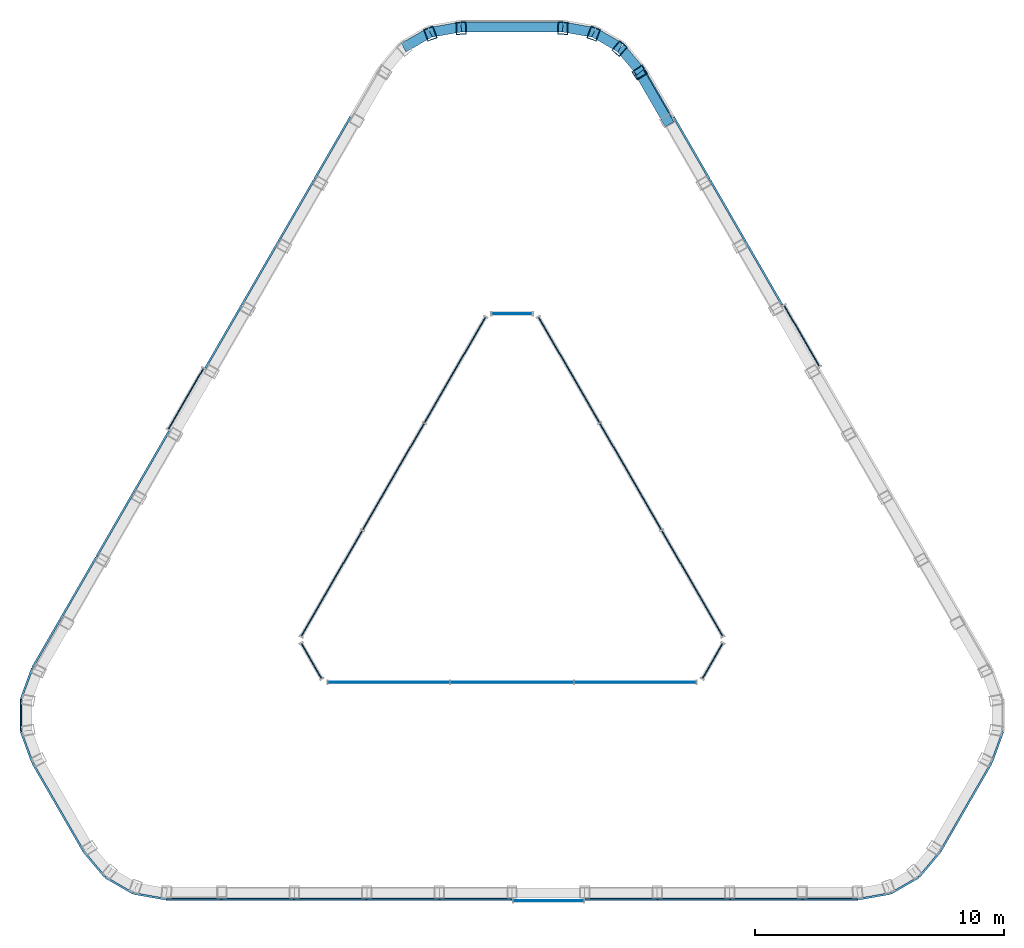
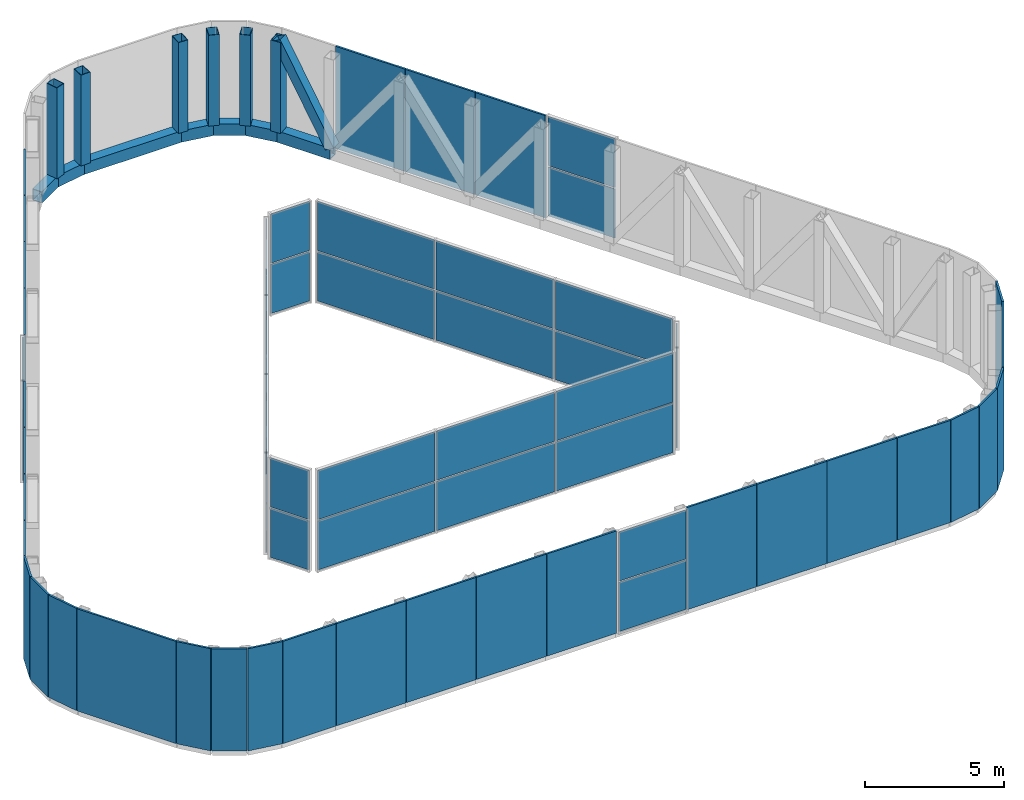
# One storey, part 4 of 5: 62 plates, 14 members, 9 elements without a shape of their own.
"""IFC4 building model written with IfcOpenShell, lengths in metres."""

import ifcopenshell
import ifcopenshell.guid

model = None  # the IFC model being written
_history = None  # IfcOwnerHistory: only IFC2X3 demands one
_inside = {}  # id of a spatial element -> (the spatial element, [elements in it])
_under = {}  # id of a project, library or spatial element -> (it, [spatial elements below it])
_declared = {}  # id of a project -> (the project, [libraries it declares])
_typed = {}  # id of a type object -> (the type object, [elements of that type])
_made_of = {}  # id of a material, layer set ... -> (it, [elements and type objects made of it])


def new_model(schema):
    """Start an empty IFC model of exactly this schema.

    Asked for "IFC4X3", IfcOpenShell would pick the latest addendum, in which some entities
    have other attributes; the version numbers below select the first issue.
    IFC2X3 requires an IfcOwnerHistory on every rooted entity: one is made here for all.
    """
    global model, _history
    if schema == "IFC4X3":
        model = ifcopenshell.file(schema_version=(4, 3, 0, 0))
    else:
        model = ifcopenshell.file(schema=schema)
    _inside.clear()
    _under.clear()
    _declared.clear()
    _typed.clear()
    _made_of.clear()
    _history = None
    if model.schema == "IFC2X3":
        org = make("IfcOrganization", Name="unknown")
        user = make(
            "IfcPersonAndOrganization",
            ThePerson=make("IfcPerson", FamilyName="unknown"),
            TheOrganization=org,
        )
        app = make(
            "IfcApplication",
            ApplicationDeveloper=org,
            Version="unknown",
            ApplicationFullName="unknown",
            ApplicationIdentifier="unknown",
        )
        _history = make(
            "IfcOwnerHistory",
            OwningUser=user,
            OwningApplication=app,
            ChangeAction="ADDED",
            CreationDate=0,
        )
    return model


def make(cls, **values):
    """One entity of the class cls with the attributes given. An attribute that is None is left unset."""
    return model.create_entity(
        cls, **{name: value for name, value in values.items() if value is not None}
    )


def rooted(cls, **values):
    """An entity with a GlobalId (a new one), such as an element, a storey or a relation."""
    return make(cls, GlobalId=ifcopenshell.guid.new(), OwnerHistory=_history, **values)


def si_unit(unit_type, name, prefix=None):
    """IfcSIUnit, for example si_unit("LENGTHUNIT", "METRE", prefix="MILLI")."""
    return make("IfcSIUnit", UnitType=unit_type, Prefix=prefix, Name=name)


def assignment(units):
    """IfcUnitAssignment: the units of a project."""
    return None if units is None else make("IfcUnitAssignment", Units=units)


def point(xyz):
    """IfcCartesianPoint."""
    return None if xyz is None else make("IfcCartesianPoint", Coordinates=xyz)


def direction(xyz):
    """IfcDirection."""
    return None if xyz is None else make("IfcDirection", DirectionRatios=xyz)


def frame(location, z_axis=None, x_axis=None):
    """IfcAxis2Placement3D, a coordinate frame: its origin and axes. An axis left out is left unset."""
    return make(
        "IfcAxis2Placement3D",
        Location=point(location),
        Axis=direction(z_axis),
        RefDirection=direction(x_axis),
    )


def frame_2d(location, x_axis=None):
    """IfcAxis2Placement2D, a coordinate frame in the plane: its origin and x axis."""
    return make(
        "IfcAxis2Placement2D", Location=point(location), RefDirection=direction(x_axis)
    )


def origin():
    """The frame at (0, 0, 0) with its axes left unset."""
    return frame((0.0, 0.0, 0.0))


def origin_2d():
    """The frame at (0, 0) in the plane with its x axis left unset."""
    return frame_2d((0.0, 0.0))


def place(relative_to, where):
    """IfcLocalPlacement: puts the frame where relative to a parent placement (None: the world)."""
    return make(
        "IfcLocalPlacement", PlacementRelTo=relative_to, RelativePlacement=where
    )


def context(
    kind, dimensions, precision=None, world=None, true_north=None, identifier=None
):
    """IfcGeometricRepresentationContext, for example the 3D "Model" context."""
    return make(
        "IfcGeometricRepresentationContext",
        ContextIdentifier=identifier,
        ContextType=kind,
        CoordinateSpaceDimension=dimensions,
        Precision=precision,
        WorldCoordinateSystem=world,
        TrueNorth=true_north,
    )


def subcontext(parent, identifier, kind, view, scale=None):
    """IfcGeometricRepresentationSubContext, for example "Body" below "Model"."""
    return make(
        "IfcGeometricRepresentationSubContext",
        ContextIdentifier=identifier,
        ContextType=kind,
        ParentContext=parent,
        TargetScale=scale,
        TargetView=view,
    )


def project(units=None, contexts=None):
    """IfcProject with its units and contexts."""
    return rooted(
        "IfcProject",
        Name="project",
        RepresentationContexts=contexts,
        UnitsInContext=assignment(units),
    )


def spatial(cls, under=None, at=None, **own):
    """A site, building, storey or space (cls), placed at a placement, below another one or the project."""
    s = rooted(cls, ObjectPlacement=at, **own)
    if under is not None:
        _under.setdefault(under.id(), (under, []))[1].append(s)
    return s


def profile(cls, at=None, kind="AREA", **sizes):
    """A parametric profile (cls). Its sizes go by their IFC names, for example OverallWidth=200.0."""
    return make(cls, ProfileType=kind, Position=at, **sizes)


def rectangle(**sizes):
    """IfcRectangleProfileDef."""
    return profile("IfcRectangleProfileDef", **sizes)


def hollow_rectangle(**sizes):
    """IfcRectangleHollowProfileDef."""
    return profile("IfcRectangleHollowProfileDef", **sizes)


def extrude(swept, where, along, depth):
    """IfcExtrudedAreaSolid: the profile swept, set in the frame where, extruded along a direction by depth."""
    return make(
        "IfcExtrudedAreaSolid",
        SweptArea=swept,
        Position=where,
        ExtrudedDirection=direction(along),
        Depth=depth,
    )


def shape(context_of_items, identifier, shape_type, items):
    """IfcShapeRepresentation: the items that make up one representation, for example the "Body"."""
    return make(
        "IfcShapeRepresentation",
        ContextOfItems=context_of_items,
        RepresentationIdentifier=identifier,
        RepresentationType=shape_type,
        Items=items,
    )


def material(Name=None, Category=None):
    """IfcMaterial."""
    return make("IfcMaterial", Name=Name, Category=Category)


def layer(
    of_material, thickness, ventilated=None, Name=None, Category=None, Priority=None
):
    """IfcMaterialLayer: one layer of a wall or slab, of a material (None: an air gap)."""
    return make(
        "IfcMaterialLayer",
        Material=of_material,
        LayerThickness=thickness,
        IsVentilated=ventilated,
        Name=Name,
        Category=Category,
        Priority=Priority,
    )


def layer_set(layers, Name=None):
    """IfcMaterialLayerSet."""
    return make("IfcMaterialLayerSet", MaterialLayers=layers, LayerSetName=Name)


def material_profile(
    of_material, cross_section, Name=None, Category=None, Priority=None
):
    """IfcMaterialProfile: a cross section and its material."""
    return make(
        "IfcMaterialProfile",
        Name=Name,
        Material=of_material,
        Profile=cross_section,
        Priority=Priority,
        Category=Category,
    )


def profile_set(profiles, Name=None, composite=None):
    """IfcMaterialProfileSet."""
    return make(
        "IfcMaterialProfileSet",
        Name=Name,
        MaterialProfiles=profiles,
        CompositeProfile=composite,
    )


def made_of(thing, what):
    """Note that an element or type object is made of a material, layer set ...; save() writes the relation."""
    if what is not None:
        _made_of.setdefault(what.id(), (what, []))[1].append(thing)
    return thing


def type_object(cls, material=None, **own):
    """A type object (cls), such as IfcWallType, which elements share."""
    return made_of(rooted(cls, **own), material)


def element(
    cls,
    number,
    at=None,
    inside=None,
    cuts=None,
    type_object=None,
    material=None,
    context=None,
    identifier="Body",
    shape_type=None,
    held_by="IfcProductDefinitionShape",
    body=None,
    shapes=None,
    **own,
):
    """One element of the class cls, such as IfcWall. Its Tag is "e" and its number.

    at: its placement. inside: the storey or other place that contains it. cuts: it is an
    opening in that element (IfcRelVoidsElement). A single representation is given by context,
    identifier, shape_type and body (its items); several are given by shapes. held_by: the class
    of the entity that holds the representations. save() writes the other relations.
    """
    e = rooted(cls, Tag="e%d" % number, ObjectPlacement=at, **own)
    if body is not None:
        shapes = [shape(context, identifier, shape_type, body)]
    if shapes is not None:
        e.Representation = make(held_by, Representations=shapes)
    if inside is not None:
        _inside.setdefault(inside.id(), (inside, []))[1].append(e)
    if cuts is not None:
        rooted(
            "IfcRelVoidsElement", RelatingBuildingElement=cuts, RelatedOpeningElement=e
        )
    if type_object is not None:
        _typed.setdefault(type_object.id(), (type_object, []))[1].append(e)
    return made_of(e, material)


def aggregate(whole, parts):
    """IfcRelAggregates: a whole, such as a stair, and the parts it consists of."""
    return rooted("IfcRelAggregates", RelatingObject=whole, RelatedObjects=parts)


def save(model, path):
    """Write the relations noted so far, then the file.

    IfcRelAggregates (storeys below a building ...), IfcRelContainedInSpatialStructure (elements
    in a storey), IfcRelDefinesByType, IfcRelAssociatesMaterial and IfcRelDeclares: one each for
    every whole, place, type object, material and project.
    """
    for whole, parts in _under.values():
        aggregate(whole, parts)
    for where, things in _inside.values():
        rooted(
            "IfcRelContainedInSpatialStructure",
            RelatedElements=things,
            RelatingStructure=where,
        )
    for kind, things in _typed.values():
        rooted("IfcRelDefinesByType", RelatedObjects=things, RelatingType=kind)
    for what, things in _made_of.values():
        rooted("IfcRelAssociatesMaterial", RelatedObjects=things, RelatingMaterial=what)
    for by, libraries in _declared.values():
        rooted("IfcRelDeclares", RelatingContext=by, RelatedDefinitions=libraries)
    model.write(path)


model = new_model("IFC4")

# Units and contexts
model_context = context("Model", 3, precision=1e-05, world=origin(), true_north=direction((0.0, 1.0)))
body_context = subcontext(model_context, "Body", "Model", "MODEL_VIEW")
ifc_project = project(units=[si_unit("LENGTHUNIT", "METRE"), si_unit("AREAUNIT", "SQUARE_METRE"), si_unit("VOLUMEUNIT", "CUBIC_METRE"), si_unit("PLANEANGLEUNIT", "RADIAN"), si_unit("MASSUNIT", "GRAM", prefix="KILO")], contexts=[model_context])

# Site, building, storey
site_placement = place(None, origin())
site = spatial("IfcSite", under=ifc_project, at=site_placement, CompositionType="ELEMENT")
building_placement = place(site_placement, origin())
building = spatial("IfcBuilding", under=site, at=building_placement, Name="Apuvela Tower Hotel", CompositionType="ELEMENT")
storey_placement = place(building_placement, frame((0.0, 0.0, 357.800048828125)))
storey = spatial("IfcBuildingStorey", under=building, at=storey_placement, Name="R-4 ROOF", CompositionType="ELEMENT", Elevation=357.800048828125)

# Members
ifc_material_1 = material(Name="Steel S355, black paint system", Category="steel")
ifc_material_profile_1 = material_profile(ifc_material_1, hollow_rectangle(XDim=0.39990234375, YDim=0.39990234375, WallThickness=0.01611328125, at=origin_2d()), Name="HSS 400x400x16")
ifc_profile_set_1 = profile_set([ifc_material_profile_1], Name="Steel S355, black paint system")
member_type_1 = type_object("IfcMemberType", Name="ENV-CROWN-BRACE-400x400", PredefinedType="BRACE", material=ifc_profile_set_1)
member_1_placement = place(storey_placement, frame((6.236572265625, 17.050537109375, 0.25), z_axis=(-0.242948815269, 0.420705831623, 0.874060911148), x_axis=(-0.865977099567, -0.500083656027, 0.0)))
element("IfcMember", 1, at=member_1_placement, inside=storey, type_object=member_type_1, Name="Crown frame brace 50", PredefinedType="BRACE", context=body_context, shape_type="SweptSolid", body=[
    extrude(hollow_rectangle(XDim=0.39990234375, YDim=0.39990234375, WallThickness=0.01611328125, at=origin_2d()), origin(), (0.0, 0.0, 1.0), 4.576416015625),
])
ifc_material_profile_2 = material_profile(ifc_material_1, hollow_rectangle(XDim=0.39990234375, YDim=0.5, WallThickness=0.02001953125, at=origin_2d()), Name="HSS 500x400x20")
ifc_profile_set_2 = profile_set([ifc_material_profile_2], Name="Steel S355, black paint system")
member_type_2 = type_object("IfcMemberType", Name="ENV-CROWN-POST-500x400", PredefinedType="POST", material=ifc_profile_set_2)
for number, where, z_axis, x_axis, name in (
    (2, (4.318115234375, 19.9375, 0.25), (0.0, 0.0, 1.0), (-0.763579690807, 0.645713601984, 0.0), "Crown frame post 1"),
    (3, (3.277099609375, 20.538330078125, 0.25), (0.0, 0.0, 1.0), (-0.940994228291, 0.33842260906, 0.0), "Crown frame post 2"),
    (4, (2.041015625, 20.75634765625, 0.25), (0.0, 0.0, 1.0), (-0.999161138639, 0.040951422845, 0.0), "Crown frame post 3"),
    (5, (-2.041015625, 20.75634765625, 0.25), (0.0, 0.0, 1.0), (-0.999161138639, -0.040951422845, 0.0), "Crown frame post 4"),
    (6, (-3.277099609375, 20.538330078125, 0.25), (0.0, 0.0, 1.0), (-0.940994228291, -0.33842260906, 0.0), "Crown frame post 5"),
    (7, (5.124755859375, 18.975830078125, 0.25), (0.0, 0.0, 1.0), (-0.553467140498, 0.832871013056, 0.0), "Crown frame post 51"),
):
    element("IfcMember", number, at=place(storey_placement, frame(where, z_axis=z_axis, x_axis=x_axis)), inside=storey, type_object=member_type_2, Name=name, PredefinedType="POST", context=body_context, shape_type="SweptSolid", body=[
        extrude(hollow_rectangle(XDim=0.39990234375, YDim=0.5, WallThickness=0.02001953125, at=origin_2d()), origin(), (0.0, 0.0, 1.0), 4.0),
    ])
ifc_material_profile_3 = material_profile(ifc_material_1, hollow_rectangle(XDim=0.39990234375, YDim=0.5, WallThickness=0.01611328125, at=origin_2d()), Name="HSS 500x400x16")
ifc_profile_set_3 = profile_set([ifc_material_profile_3], Name="Steel S355, black paint system")
member_type_3 = type_object("IfcMemberType", Name="ENV-CROWN-RING-500x400", PredefinedType="STRINGER", material=ifc_profile_set_3)
member_2_placement = place(storey_placement, frame((4.3505859375, 19.976318359375, 0.0), z_axis=(-0.865992225662, 0.50005746179, 0.0), x_axis=(-0.50005746179, -0.865992225662, 0.0)))
element("IfcMember", 8, at=member_2_placement, inside=storey, type_object=member_type_3, Name="Crown frame ring beam 4.1", PredefinedType="STRINGER", context=body_context, shape_type="SweptSolid", body=[
    extrude(hollow_rectangle(XDim=0.39990234375, YDim=0.5, WallThickness=0.01611328125, at=origin_2d()), origin(), (0.0, 0.0, 1.0), 1.219482421875),
])
member_3_placement = place(storey_placement, frame((3.29443359375, 20.586181640625, 0.0), z_axis=(-0.984810677158, 0.173631593197, 0.0), x_axis=(-0.173631593197, -0.984810677158, 0.0)))
element("IfcMember", 9, at=member_3_placement, inside=storey, type_object=member_type_3, Name="Crown frame ring beam 4.2", PredefinedType="STRINGER", context=body_context, shape_type="SweptSolid", body=[
    extrude(hollow_rectangle(XDim=0.39990234375, YDim=0.5, WallThickness=0.01611328125, at=origin_2d()), origin(), (0.0, 0.0, 1.0), 1.268310546875),
])
member_4_placement = place(storey_placement, frame((2.04541015625, 20.806396484375, 0.0), z_axis=(-1.0, 0.0, 0.0), x_axis=(0.0, -1.0, 0.0)))
element("IfcMember", 10, at=member_4_placement, inside=storey, type_object=member_type_3, Name="Crown frame ring beam 4.3", PredefinedType="STRINGER", context=body_context, shape_type="SweptSolid", body=[
    extrude(hollow_rectangle(XDim=0.39990234375, YDim=0.5, WallThickness=0.01611328125, at=origin_2d()), origin(), (0.0, 0.0, 1.0), 4.0908203125),
])
member_5_placement = place(storey_placement, frame((-2.04541015625, 20.806396484375, 0.0), z_axis=(-0.984810677158, -0.173631593197, 0.0), x_axis=(0.173631593197, -0.984810677158, 0.0)))
element("IfcMember", 11, at=member_5_placement, inside=storey, type_object=member_type_3, Name="Crown frame ring beam 4.4", PredefinedType="STRINGER", context=body_context, shape_type="SweptSolid", body=[
    extrude(hollow_rectangle(XDim=0.39990234375, YDim=0.5, WallThickness=0.01611328125, at=origin_2d()), origin(), (0.0, 0.0, 1.0), 1.268310546875),
])
member_6_placement = place(storey_placement, frame((-3.29443359375, 20.586181640625, 0.0), z_axis=(-0.865992225662, -0.50005746179, 0.0), x_axis=(0.50005746179, -0.865992225662, 0.0)))
element("IfcMember", 12, at=member_6_placement, inside=storey, type_object=member_type_3, Name="Crown frame ring beam 4.5", PredefinedType="STRINGER", context=body_context, shape_type="SweptSolid", body=[
    extrude(hollow_rectangle(XDim=0.39990234375, YDim=0.5, WallThickness=0.01611328125, at=origin_2d()), origin(), (0.0, 0.0, 1.0), 1.219482421875),
])
member_7_placement = place(storey_placement, frame((6.27783203125, 17.07861328125, 0.0), z_axis=(-0.499941024108, 0.866059450854, 0.0), x_axis=(-0.866059450854, -0.499941024108, 0.0)))
element("IfcMember", 13, at=member_7_placement, inside=storey, type_object=member_type_3, Name="Crown frame ring beam 4.50", PredefinedType="STRINGER", context=body_context, shape_type="SweptSolid", body=[
    extrude(hollow_rectangle(XDim=0.39990234375, YDim=0.5, WallThickness=0.01611328125, at=origin_2d()), origin(), (0.0, 0.0, 1.0), 2.223876953125),
])
member_8_placement = place(storey_placement, frame((5.166015625, 19.004638671875, 0.0), z_axis=(-0.642830918567, 0.766008100567, 0.0), x_axis=(-0.766008100567, -0.642830918567, 0.0)))
element("IfcMember", 14, at=member_8_placement, inside=storey, type_object=member_type_3, Name="Crown frame ring beam 4.51", PredefinedType="STRINGER", context=body_context, shape_type="SweptSolid", body=[
    extrude(hollow_rectangle(XDim=0.39990234375, YDim=0.5, WallThickness=0.01611328125, at=origin_2d()), origin(), (0.0, 0.0, 1.0), 1.2685546875),
])

# Plates
ifc_material_2 = material(Name="Aluminium 6063-T6, black anodised perforated panel", Category="aluminium")
ifc_layer_1 = layer(ifc_material_2, 0.080078125)
ifc_layer_set_1 = layer_set([ifc_layer_1], Name="ENV-CROWN-SCREEN-80")
plate_type_1 = type_object("IfcPlateType", Name="ENV-CROWN-SCREEN-80", PredefinedType="SHEET", material=ifc_layer_set_1)
for number, where, z_axis, x_axis, name in (
    (15, (-7.206298828125, 15.95068359375, 0.0), (0.0, 0.0, 1.0), (-0.5, -0.866025403784, 0.0), "Crown screen 8"),
    (16, (-8.6650390625, 13.42431640625, 0.0), (0.0, 0.0, 1.0), (-0.5, -0.866025403784, 0.0), "Crown screen 9"),
    (17, (-10.12353515625, 10.897705078125, 0.0), (0.0, 0.0, 1.0), (-0.5, -0.866025403784, 0.0), "Crown screen 10"),
    (18, (-11.582275390625, 8.371337890625, 0.0), (0.0, 0.0, 1.0), (-0.5, -0.866025403784, 0.0), "Crown screen 11"),
    (19, (-14.49951171875, 3.318359375, 0.0), (0.0, 0.0, 1.0), (-0.5, -0.866025403784, 0.0), "Crown screen 13"),
    (20, (-15.958251953125, 0.7919921875, 0.0), (0.0, 0.0, 1.0), (-0.5, -0.866025403784, 0.0), "Crown screen 14"),
    (21, (-17.4169921875, -1.734619140625, 0.0), (0.0, 0.0, 1.0), (-0.5, -0.866025403784, 0.0), "Crown screen 15"),
):
    element("IfcPlate", number, at=place(storey_placement, frame(where, z_axis=z_axis, x_axis=x_axis)), inside=storey, type_object=plate_type_1, Name=name, PredefinedType="SHEET", context=body_context, shape_type="SweptSolid", body=[
        extrude(rectangle(XDim=2.897216796875, YDim=0.080078125, at=origin_2d()), origin(), (0.0, 0.0, 1.0), 4.5),
    ])
plate_1_placement = place(storey_placement, frame((-18.702880859375, -3.962158203125, 0.0), z_axis=(0.0, 0.0, 1.0), x_axis=(-0.5, -0.866025403784, 0.0)))
element("IfcPlate", 22, at=plate_1_placement, inside=storey, type_object=plate_type_1, Name="Crown screen 16", PredefinedType="SHEET", context=body_context, shape_type="SweptSolid", body=[
    extrude(rectangle(XDim=2.20751953125, YDim=0.080078125, at=origin_2d()), origin(), (0.0, 0.0, 1.0), 4.5),
])
plate_2_placement = place(storey_placement, frame((-19.487548828125, -5.552490234375, 0.0), z_axis=(0.0, 0.0, 1.0), x_axis=(-0.342020143326, -0.939692620786, 0.0)))
element("IfcPlate", 23, at=plate_2_placement, inside=storey, type_object=plate_type_1, Name="Crown screen 17", PredefinedType="SHEET", context=body_context, shape_type="SweptSolid", body=[
    extrude(rectangle(XDim=1.311767578125, YDim=0.080078125, at=origin_2d()), origin(), (0.0, 0.0, 1.0), 4.5),
])
plate_3_placement = place(storey_placement, frame((-19.71533203125, -6.830078125, 0.0), z_axis=(0.0, 0.0, 1.0), x_axis=(0.0, -1.0, 0.0)))
element("IfcPlate", 24, at=plate_3_placement, inside=storey, type_object=plate_type_1, Name="Crown screen 18", PredefinedType="SHEET", context=body_context, shape_type="SweptSolid", body=[
    extrude(rectangle(XDim=1.2841796875, YDim=0.080078125, at=origin_2d()), origin(), (0.0, 0.0, 1.0), 4.5),
])
plate_4_placement = place(storey_placement, frame((-19.487548828125, -8.10791015625, 0.0), z_axis=(0.0, 0.0, 1.0), x_axis=(0.342020143326, -0.939692620786, 0.0)))
element("IfcPlate", 25, at=plate_4_placement, inside=storey, type_object=plate_type_1, Name="Crown screen 19", PredefinedType="SHEET", context=body_context, shape_type="SweptSolid", body=[
    extrude(rectangle(XDim=1.311767578125, YDim=0.080078125, at=origin_2d()), origin(), (0.0, 0.0, 1.0), 4.5),
])
plate_5_placement = place(storey_placement, frame((-18.226806640625, -10.523193359375, 0.0), z_axis=(0.0, 0.0, 1.0), x_axis=(0.5, -0.866025403784, 0.0)))
element("IfcPlate", 26, at=plate_5_placement, inside=storey, type_object=plate_type_1, Name="Crown screen 20", PredefinedType="SHEET", context=body_context, shape_type="SweptSolid", body=[
    extrude(rectangle(XDim=4.11279296875, YDim=0.080078125, at=origin_2d()), origin(), (0.0, 0.0, 1.0), 4.5),
])
plate_6_placement = place(storey_placement, frame((-16.765380859375, -12.82275390625, 0.0), z_axis=(0.0, 0.0, 1.0), x_axis=(0.642787609687, -0.766044443119, 0.0)))
element("IfcPlate", 27, at=plate_6_placement, inside=storey, type_object=plate_type_1, Name="Crown screen 21", PredefinedType="SHEET", context=body_context, shape_type="SweptSolid", body=[
    extrude(rectangle(XDim=1.311767578125, YDim=0.080078125, at=origin_2d()), origin(), (0.0, 0.0, 1.0), 4.5),
])
plate_7_placement = place(storey_placement, frame((-15.772705078125, -13.658935546875, 0.0), z_axis=(0.0, 0.0, 1.0), x_axis=(0.866025403784, -0.5, 0.0)))
element("IfcPlate", 28, at=plate_7_placement, inside=storey, type_object=plate_type_1, Name="Crown screen 22", PredefinedType="SHEET", context=body_context, shape_type="SweptSolid", body=[
    extrude(rectangle(XDim=1.2841796875, YDim=0.080078125, at=origin_2d()), origin(), (0.0, 0.0, 1.0), 4.5),
])
plate_8_placement = place(storey_placement, frame((-14.55224609375, -14.1005859375, 0.0), z_axis=(0.0, 0.0, 1.0), x_axis=(0.984807753012, -0.173648177667, 0.0)))
element("IfcPlate", 29, at=plate_8_placement, inside=storey, type_object=plate_type_1, Name="Crown screen 23", PredefinedType="SHEET", context=body_context, shape_type="SweptSolid", body=[
    extrude(rectangle(XDim=1.311767578125, YDim=0.080078125, at=origin_2d()), origin(), (0.0, 0.0, 1.0), 4.5),
])
plate_9_placement = place(storey_placement, frame((-12.782958984375, -14.21630859375, 0.0), z_axis=(0.0, 0.0, 1.0), x_axis=(1.0, 0.0, 0.0)))
element("IfcPlate", 30, at=plate_9_placement, inside=storey, type_object=plate_type_1, Name="Crown screen 24", PredefinedType="SHEET", context=body_context, shape_type="SweptSolid", body=[
    extrude(rectangle(XDim=2.20751953125, YDim=0.080078125, at=origin_2d()), origin(), (0.0, 0.0, 1.0), 4.5),
])
for number, where, z_axis, x_axis, name in (
    (31, (-10.210693359375, -14.21630859375, 0.0), (0.0, 0.0, 1.0), (1.0, 0.0, 0.0), "Crown screen 25"),
    (32, (-7.293212890625, -14.21630859375, 0.0), (0.0, 0.0, 1.0), (1.0, 0.0, 0.0), "Crown screen 26"),
    (33, (-4.3759765625, -14.21630859375, 0.0), (0.0, 0.0, 1.0), (1.0, 0.0, 0.0), "Crown screen 27"),
    (34, (-1.458740234375, -14.21630859375, 0.0), (0.0, 0.0, 1.0), (1.0, 0.0, 0.0), "Crown screen 28"),
    (35, (4.3759765625, -14.21630859375, 0.0), (0.0, 0.0, 1.0), (1.0, 0.0, 0.0), "Crown screen 30"),
    (36, (7.293212890625, -14.21630859375, 0.0), (0.0, 0.0, 1.0), (1.0, 0.0, 0.0), "Crown screen 31"),
    (37, (10.210693359375, -14.21630859375, 0.0), (0.0, 0.0, 1.0), (1.0, 0.0, 0.0), "Crown screen 32"),
):
    element("IfcPlate", number, at=place(storey_placement, frame(where, z_axis=z_axis, x_axis=x_axis)), inside=storey, type_object=plate_type_1, Name=name, PredefinedType="SHEET", context=body_context, shape_type="SweptSolid", body=[
        extrude(rectangle(XDim=2.897216796875, YDim=0.080078125, at=origin_2d()), origin(), (0.0, 0.0, 1.0), 4.5),
    ])
plate_10_placement = place(storey_placement, frame((12.782958984375, -14.21630859375, 0.0), z_axis=(0.0, 0.0, 1.0), x_axis=(1.0, 0.0, 0.0)))
element("IfcPlate", 38, at=plate_10_placement, inside=storey, type_object=plate_type_1, Name="Crown screen 33", PredefinedType="SHEET", context=body_context, shape_type="SweptSolid", body=[
    extrude(rectangle(XDim=2.20751953125, YDim=0.080078125, at=origin_2d()), origin(), (0.0, 0.0, 1.0), 4.5),
])
plate_11_placement = place(storey_placement, frame((14.55224609375, -14.1005859375, 0.0), z_axis=(0.0, 0.0, 1.0), x_axis=(0.984807753012, 0.173648177667, 0.0)))
element("IfcPlate", 39, at=plate_11_placement, inside=storey, type_object=plate_type_1, Name="Crown screen 34", PredefinedType="SHEET", context=body_context, shape_type="SweptSolid", body=[
    extrude(rectangle(XDim=1.311767578125, YDim=0.080078125, at=origin_2d()), origin(), (0.0, 0.0, 1.0), 4.5),
])
plate_12_placement = place(storey_placement, frame((15.772705078125, -13.658935546875, 0.0), z_axis=(0.0, 0.0, 1.0), x_axis=(0.866025403784, 0.5, 0.0)))
element("IfcPlate", 40, at=plate_12_placement, inside=storey, type_object=plate_type_1, Name="Crown screen 35", PredefinedType="SHEET", context=body_context, shape_type="SweptSolid", body=[
    extrude(rectangle(XDim=1.2841796875, YDim=0.080078125, at=origin_2d()), origin(), (0.0, 0.0, 1.0), 4.5),
])
plate_13_placement = place(storey_placement, frame((16.765380859375, -12.82275390625, 0.0), z_axis=(0.0, 0.0, 1.0), x_axis=(0.642787609687, 0.766044443119, 0.0)))
element("IfcPlate", 41, at=plate_13_placement, inside=storey, type_object=plate_type_1, Name="Crown screen 36", PredefinedType="SHEET", context=body_context, shape_type="SweptSolid", body=[
    extrude(rectangle(XDim=1.311767578125, YDim=0.080078125, at=origin_2d()), origin(), (0.0, 0.0, 1.0), 4.5),
])
plate_14_placement = place(storey_placement, frame((18.226806640625, -10.523193359375, 0.0), z_axis=(0.0, 0.0, 1.0), x_axis=(0.5, 0.866025403784, 0.0)))
element("IfcPlate", 42, at=plate_14_placement, inside=storey, type_object=plate_type_1, Name="Crown screen 37", PredefinedType="SHEET", context=body_context, shape_type="SweptSolid", body=[
    extrude(rectangle(XDim=4.11279296875, YDim=0.080078125, at=origin_2d()), origin(), (0.0, 0.0, 1.0), 4.5),
])
plate_15_placement = place(storey_placement, frame((19.487548828125, -8.10791015625, 0.0), z_axis=(0.0, 0.0, 1.0), x_axis=(0.342020143326, 0.939692620786, 0.0)))
element("IfcPlate", 43, at=plate_15_placement, inside=storey, type_object=plate_type_1, Name="Crown screen 38", PredefinedType="SHEET", context=body_context, shape_type="SweptSolid", body=[
    extrude(rectangle(XDim=1.311767578125, YDim=0.080078125, at=origin_2d()), origin(), (0.0, 0.0, 1.0), 4.5),
])
for number, where, z_axis, x_axis, name in (
    (44, (10.12353515625, 10.897705078125, 0.0), (0.0, 0.0, 1.0), (-0.5, 0.866025403784, 0.0), "Crown screen 47"),
    (45, (8.6650390625, 13.42431640625, 0.0), (0.0, 0.0, 1.0), (-0.5, 0.866025403784, 0.0), "Crown screen 48"),
    (46, (7.206298828125, 15.95068359375, 0.0), (0.0, 0.0, 1.0), (-0.5, 0.866025403784, 0.0), "Crown screen 49"),
):
    element("IfcPlate", number, at=place(storey_placement, frame(where, z_axis=z_axis, x_axis=x_axis)), inside=storey, type_object=plate_type_1, Name=name, PredefinedType="SHEET", context=body_context, shape_type="SweptSolid", body=[
        extrude(rectangle(XDim=2.897216796875, YDim=0.080078125, at=origin_2d()), origin(), (0.0, 0.0, 1.0), 4.5),
    ])

# Curtain wall, plates
ifc_material_3 = material(Name="Aluminium 6063-T6, dark bronze anodised", Category="aluminium")
ifc_layer_2 = layer(ifc_material_3, 0.199951171875)
ifc_layer_set_2 = layer_set([ifc_layer_2], Name="ENV-CW-C")
curtain_wall_type_1 = type_object("IfcCurtainWallType", Name="ENV-CW-C", PredefinedType="NOTDEFINED", material=ifc_layer_set_2)
curtain_wall_1_placement = place(storey_placement, origin())
curtain_wall_1 = element("IfcCurtainWall", 47, at=curtain_wall_1_placement, inside=storey, type_object=curtain_wall_type_1, Name="Crown glazing 12 R-4 ROOF", PredefinedType="NOTDEFINED")
ifc_material_4 = material(Name="Glass, dark tinted laminated insulated glazing unit", Category="glass")
ifc_layer_3 = layer(ifc_material_4, 0.0400390625)
ifc_layer_set_3 = layer_set([ifc_layer_3], Name="ENV-PANEL-IGU-40")
plate_type_2 = type_object("IfcPlateType", Name="ENV-PANEL-IGU-40", PredefinedType="CURTAIN_PANEL", material=ifc_layer_set_3)
plate_16_placement = place(storey_placement, frame((-13.093017578125, 5.874755859375, 0.06494140625), z_axis=(0.0, 0.0, 1.0), x_axis=(-0.499980601426, -0.866036603266, 0.0)))
plate_16 = element("IfcPlate", 48, at=plate_16_placement, type_object=plate_type_2, Name="CW-C panel 1.1", PredefinedType="CURTAIN_PANEL", context=body_context, shape_type="SweptSolid", body=[
    extrude(rectangle(XDim=2.787353515625, YDim=0.0400390625, at=origin_2d()), origin(), (0.0, 0.0, 1.0), 2.152587890625),
])
plate_17_placement = place(storey_placement, frame((-13.093017578125, 5.874755859375, 2.2822265625), z_axis=(0.0, 0.0, 1.0), x_axis=(-0.499980601426, -0.866036603266, 0.0)))
plate_17 = element("IfcPlate", 49, at=plate_17_placement, type_object=plate_type_2, Name="CW-C panel 1.2", PredefinedType="CURTAIN_PANEL", context=body_context, shape_type="SweptSolid", body=[
    extrude(rectangle(XDim=2.787353515625, YDim=0.0400390625, at=origin_2d()), origin(), (0.0, 0.0, 1.0), 2.152587890625),
])
aggregate(curtain_wall_1, [plate_16, plate_17])

curtain_wall_2_placement = place(storey_placement, origin())
curtain_wall_2 = element("IfcCurtainWall", 50, at=curtain_wall_2_placement, inside=storey, type_object=curtain_wall_type_1, Name="Crown glazing 29 R-4 ROOF", PredefinedType="NOTDEFINED")
plate_18_placement = place(storey_placement, frame((1.458740234375, -14.276123046875, 0.06494140625), z_axis=(0.0, 0.0, 1.0), x_axis=(1.0, 0.0, 0.0)))
plate_18 = element("IfcPlate", 51, at=plate_18_placement, type_object=plate_type_2, Name="CW-C panel 1.1", PredefinedType="CURTAIN_PANEL", context=body_context, shape_type="SweptSolid", body=[
    extrude(rectangle(XDim=2.787353515625, YDim=0.0400390625, at=origin_2d()), origin(), (0.0, 0.0, 1.0), 2.152587890625),
])
plate_19_placement = place(storey_placement, frame((1.458740234375, -14.276123046875, 2.2822265625), z_axis=(0.0, 0.0, 1.0), x_axis=(1.0, 0.0, 0.0)))
plate_19 = element("IfcPlate", 52, at=plate_19_placement, type_object=plate_type_2, Name="CW-C panel 1.2", PredefinedType="CURTAIN_PANEL", context=body_context, shape_type="SweptSolid", body=[
    extrude(rectangle(XDim=2.787353515625, YDim=0.0400390625, at=origin_2d()), origin(), (0.0, 0.0, 1.0), 2.152587890625),
])
aggregate(curtain_wall_2, [plate_18, plate_19])

curtain_wall_3_placement = place(storey_placement, origin())
curtain_wall_3 = element("IfcCurtainWall", 53, at=curtain_wall_3_placement, inside=storey, type_object=curtain_wall_type_1, Name="Crown glazing 46 R-4 ROOF", PredefinedType="NOTDEFINED")
plate_20_placement = place(storey_placement, frame((11.63427734375, 8.4013671875, 0.06494140625), z_axis=(0.0, 0.0, 1.0), x_axis=(-0.500006310028, 0.866021760657, 0.0)))
plate_20 = element("IfcPlate", 54, at=plate_20_placement, type_object=plate_type_2, Name="CW-C panel 1.1", PredefinedType="CURTAIN_PANEL", context=body_context, shape_type="SweptSolid", body=[
    extrude(rectangle(XDim=2.787353515625, YDim=0.0400390625, at=origin_2d()), origin(), (0.0, 0.0, 1.0), 2.152587890625),
])
plate_21_placement = place(storey_placement, frame((11.63427734375, 8.4013671875, 2.2822265625), z_axis=(0.0, 0.0, 1.0), x_axis=(-0.500006310028, 0.866021760657, 0.0)))
plate_21 = element("IfcPlate", 55, at=plate_21_placement, type_object=plate_type_2, Name="CW-C panel 1.2", PredefinedType="CURTAIN_PANEL", context=body_context, shape_type="SweptSolid", body=[
    extrude(rectangle(XDim=2.787353515625, YDim=0.0400390625, at=origin_2d()), origin(), (0.0, 0.0, 1.0), 2.152587890625),
])
aggregate(curtain_wall_3, [plate_20, plate_21])

ifc_layer_4 = layer(ifc_material_3, 0.199951171875)
ifc_layer_set_4 = layer_set([ifc_layer_4], Name="ENV-CW-A")
curtain_wall_type_2 = type_object("IfcCurtainWallType", Name="ENV-CW-A", PredefinedType="NOTDEFINED", material=ifc_layer_set_4)
curtain_wall_4_placement = place(storey_placement, origin())
curtain_wall_4 = element("IfcCurtainWall", 56, at=curtain_wall_4_placement, inside=storey, type_object=curtain_wall_type_2, Name="Atrium glazing 1 R-4 ROOF", PredefinedType="NOTDEFINED")
plate_22_placement = place(storey_placement, frame((0.0, 9.300048828125, 0.06494140625), z_axis=(0.0, 0.0, 1.0), x_axis=(-1.0, 0.0, 0.0)))
plate_22 = element("IfcPlate", 57, at=plate_22_placement, type_object=plate_type_2, Name="CW-A panel 1.1", PredefinedType="CURTAIN_PANEL", context=body_context, shape_type="SweptSolid", body=[
    extrude(rectangle(XDim=1.60205078125, YDim=0.0400390625, at=origin_2d()), origin(), (0.0, 0.0, 1.0), 2.152587890625),
])
plate_23_placement = place(storey_placement, frame((0.0, 9.300048828125, 2.2822265625), z_axis=(0.0, 0.0, 1.0), x_axis=(-1.0, 0.0, 0.0)))
plate_23 = element("IfcPlate", 58, at=plate_23_placement, type_object=plate_type_2, Name="CW-A panel 1.2", PredefinedType="CURTAIN_PANEL", context=body_context, shape_type="SweptSolid", body=[
    extrude(rectangle(XDim=1.60205078125, YDim=0.0400390625, at=origin_2d()), origin(), (0.0, 0.0, 1.0), 2.152587890625),
])
aggregate(curtain_wall_4, [plate_22, plate_23])

curtain_wall_5_placement = place(storey_placement, origin())
curtain_wall_5 = element("IfcCurtainWall", 59, at=curtain_wall_5_placement, inside=storey, type_object=curtain_wall_type_2, Name="Atrium glazing 2 R-4 ROOF", PredefinedType="NOTDEFINED")
plate_24_placement = place(storey_placement, frame((-2.28857421875, 7.035888671875, 0.06494140625), z_axis=(0.0, 0.0, 1.0), x_axis=(-0.499999069899, -0.866025940778, 0.0)))
plate_24 = element("IfcPlate", 60, at=plate_24_placement, type_object=plate_type_2, Name="CW-A panel 1.1", PredefinedType="CURTAIN_PANEL", context=body_context, shape_type="SweptSolid", body=[
    extrude(rectangle(XDim=4.86767578125, YDim=0.0400390625, at=origin_2d()), origin(), (0.0, 0.0, 1.0), 2.152587890625),
])
plate_25_placement = place(storey_placement, frame((-2.28857421875, 7.035888671875, 2.2822265625), z_axis=(0.0, 0.0, 1.0), x_axis=(-0.499999069899, -0.866025940778, 0.0)))
plate_25 = element("IfcPlate", 61, at=plate_25_placement, type_object=plate_type_2, Name="CW-A panel 1.2", PredefinedType="CURTAIN_PANEL", context=body_context, shape_type="SweptSolid", body=[
    extrude(rectangle(XDim=4.86767578125, YDim=0.0400390625, at=origin_2d()), origin(), (0.0, 0.0, 1.0), 2.152587890625),
])
plate_26_placement = place(storey_placement, frame((-4.76318359375, 2.75, 0.06494140625), z_axis=(0.0, 0.0, 1.0), x_axis=(-0.499999069899, -0.866025940778, 0.0)))
plate_26 = element("IfcPlate", 62, at=plate_26_placement, type_object=plate_type_2, Name="CW-A panel 2.1", PredefinedType="CURTAIN_PANEL", context=body_context, shape_type="SweptSolid", body=[
    extrude(rectangle(XDim=4.900146484375, YDim=0.0400390625, at=origin_2d()), origin(), (0.0, 0.0, 1.0), 2.152587890625),
])
plate_27_placement = place(storey_placement, frame((-4.76318359375, 2.75, 2.2822265625), z_axis=(0.0, 0.0, 1.0), x_axis=(-0.499999069899, -0.866025940778, 0.0)))
plate_27 = element("IfcPlate", 63, at=plate_27_placement, type_object=plate_type_2, Name="CW-A panel 2.2", PredefinedType="CURTAIN_PANEL", context=body_context, shape_type="SweptSolid", body=[
    extrude(rectangle(XDim=4.900146484375, YDim=0.0400390625, at=origin_2d()), origin(), (0.0, 0.0, 1.0), 2.152587890625),
])
plate_28_placement = place(storey_placement, frame((-7.237548828125, -1.535888671875, 0.06494140625), z_axis=(0.0, 0.0, 1.0), x_axis=(-0.499999069899, -0.866025940778, 0.0)))
plate_28 = element("IfcPlate", 64, at=plate_28_placement, type_object=plate_type_2, Name="CW-A panel 3.1", PredefinedType="CURTAIN_PANEL", context=body_context, shape_type="SweptSolid", body=[
    extrude(rectangle(XDim=4.86767578125, YDim=0.0400390625, at=origin_2d()), origin(), (0.0, 0.0, 1.0), 2.152587890625),
])
plate_29_placement = place(storey_placement, frame((-7.237548828125, -1.535888671875, 2.2822265625), z_axis=(0.0, 0.0, 1.0), x_axis=(-0.499999069899, -0.866025940778, 0.0)))
plate_29 = element("IfcPlate", 65, at=plate_29_placement, type_object=plate_type_2, Name="CW-A panel 3.2", PredefinedType="CURTAIN_PANEL", context=body_context, shape_type="SweptSolid", body=[
    extrude(rectangle(XDim=4.86767578125, YDim=0.0400390625, at=origin_2d()), origin(), (0.0, 0.0, 1.0), 2.152587890625),
])
aggregate(curtain_wall_5, [plate_24, plate_25, plate_26, plate_27, plate_28, plate_29])

curtain_wall_6_placement = place(storey_placement, origin())
curtain_wall_6 = element("IfcCurtainWall", 66, at=curtain_wall_6_placement, inside=storey, type_object=curtain_wall_type_2, Name="Atrium glazing 3 R-4 ROOF", PredefinedType="NOTDEFINED")
plate_30_placement = place(storey_placement, frame((-8.053955078125, -4.64990234375, 0.06494140625), z_axis=(0.0, 0.0, 1.0), x_axis=(0.49998899972, -0.866031754706, 0.0)))
plate_30 = element("IfcPlate", 67, at=plate_30_placement, type_object=plate_type_2, Name="CW-A panel 1.1", PredefinedType="CURTAIN_PANEL", context=body_context, shape_type="SweptSolid", body=[
    extrude(rectangle(XDim=1.60205078125, YDim=0.0400390625, at=origin_2d()), origin(), (0.0, 0.0, 1.0), 2.152587890625),
])
plate_31_placement = place(storey_placement, frame((-8.053955078125, -4.64990234375, 2.2822265625), z_axis=(0.0, 0.0, 1.0), x_axis=(0.49998899972, -0.866031754706, 0.0)))
plate_31 = element("IfcPlate", 68, at=plate_31_placement, type_object=plate_type_2, Name="CW-A panel 1.2", PredefinedType="CURTAIN_PANEL", context=body_context, shape_type="SweptSolid", body=[
    extrude(rectangle(XDim=1.60205078125, YDim=0.0400390625, at=origin_2d()), origin(), (0.0, 0.0, 1.0), 2.152587890625),
])
aggregate(curtain_wall_6, [plate_30, plate_31])

curtain_wall_7_placement = place(storey_placement, origin())
curtain_wall_7 = element("IfcCurtainWall", 69, at=curtain_wall_7_placement, inside=storey, type_object=curtain_wall_type_2, Name="Atrium glazing 4 R-4 ROOF", PredefinedType="NOTDEFINED")
plate_32_placement = place(storey_placement, frame((-4.948974609375, -5.5, 0.06494140625), z_axis=(0.0, 0.0, 1.0), x_axis=(1.0, 0.0, 0.0)))
plate_32 = element("IfcPlate", 70, at=plate_32_placement, type_object=plate_type_2, Name="CW-A panel 1.1", PredefinedType="CURTAIN_PANEL", context=body_context, shape_type="SweptSolid", body=[
    extrude(rectangle(XDim=4.86767578125, YDim=0.0400390625, at=origin_2d()), origin(), (0.0, 0.0, 1.0), 2.152587890625),
])
plate_33_placement = place(storey_placement, frame((-4.948974609375, -5.5, 2.2822265625), z_axis=(0.0, 0.0, 1.0), x_axis=(1.0, 0.0, 0.0)))
plate_33 = element("IfcPlate", 71, at=plate_33_placement, type_object=plate_type_2, Name="CW-A panel 1.2", PredefinedType="CURTAIN_PANEL", context=body_context, shape_type="SweptSolid", body=[
    extrude(rectangle(XDim=4.86767578125, YDim=0.0400390625, at=origin_2d()), origin(), (0.0, 0.0, 1.0), 2.152587890625),
])
plate_34_placement = place(storey_placement, frame((0.0, -5.5, 0.06494140625), z_axis=(0.0, 0.0, 1.0), x_axis=(1.0, 0.0, 0.0)))
plate_34 = element("IfcPlate", 72, at=plate_34_placement, type_object=plate_type_2, Name="CW-A panel 2.1", PredefinedType="CURTAIN_PANEL", context=body_context, shape_type="SweptSolid", body=[
    extrude(rectangle(XDim=4.900146484375, YDim=0.0400390625, at=origin_2d()), origin(), (0.0, 0.0, 1.0), 2.152587890625),
])
plate_35_placement = place(storey_placement, frame((0.0, -5.5, 2.2822265625), z_axis=(0.0, 0.0, 1.0), x_axis=(1.0, 0.0, 0.0)))
plate_35 = element("IfcPlate", 73, at=plate_35_placement, type_object=plate_type_2, Name="CW-A panel 2.2", PredefinedType="CURTAIN_PANEL", context=body_context, shape_type="SweptSolid", body=[
    extrude(rectangle(XDim=4.900146484375, YDim=0.0400390625, at=origin_2d()), origin(), (0.0, 0.0, 1.0), 2.152587890625),
])
plate_36_placement = place(storey_placement, frame((4.948974609375, -5.5, 0.06494140625), z_axis=(0.0, 0.0, 1.0), x_axis=(1.0, 0.0, 0.0)))
plate_36 = element("IfcPlate", 74, at=plate_36_placement, type_object=plate_type_2, Name="CW-A panel 3.1", PredefinedType="CURTAIN_PANEL", context=body_context, shape_type="SweptSolid", body=[
    extrude(rectangle(XDim=4.86767578125, YDim=0.0400390625, at=origin_2d()), origin(), (0.0, 0.0, 1.0), 2.152587890625),
])
plate_37_placement = place(storey_placement, frame((4.948974609375, -5.5, 2.2822265625), z_axis=(0.0, 0.0, 1.0), x_axis=(1.0, 0.0, 0.0)))
plate_37 = element("IfcPlate", 75, at=plate_37_placement, type_object=plate_type_2, Name="CW-A panel 3.2", PredefinedType="CURTAIN_PANEL", context=body_context, shape_type="SweptSolid", body=[
    extrude(rectangle(XDim=4.86767578125, YDim=0.0400390625, at=origin_2d()), origin(), (0.0, 0.0, 1.0), 2.152587890625),
])
aggregate(curtain_wall_7, [plate_32, plate_33, plate_34, plate_35, plate_36, plate_37])

curtain_wall_8_placement = place(storey_placement, origin())
curtain_wall_8 = element("IfcCurtainWall", 76, at=curtain_wall_8_placement, inside=storey, type_object=curtain_wall_type_2, Name="Atrium glazing 5 R-4 ROOF", PredefinedType="NOTDEFINED")
plate_38_placement = place(storey_placement, frame((8.053955078125, -4.64990234375, 0.06494140625), z_axis=(0.0, 0.0, 1.0), x_axis=(0.49998899972, 0.866031754706, 0.0)))
plate_38 = element("IfcPlate", 77, at=plate_38_placement, type_object=plate_type_2, Name="CW-A panel 1.1", PredefinedType="CURTAIN_PANEL", context=body_context, shape_type="SweptSolid", body=[
    extrude(rectangle(XDim=1.60205078125, YDim=0.0400390625, at=origin_2d()), origin(), (0.0, 0.0, 1.0), 2.152587890625),
])
plate_39_placement = place(storey_placement, frame((8.053955078125, -4.64990234375, 2.2822265625), z_axis=(0.0, 0.0, 1.0), x_axis=(0.49998899972, 0.866031754706, 0.0)))
plate_39 = element("IfcPlate", 78, at=plate_39_placement, type_object=plate_type_2, Name="CW-A panel 1.2", PredefinedType="CURTAIN_PANEL", context=body_context, shape_type="SweptSolid", body=[
    extrude(rectangle(XDim=1.60205078125, YDim=0.0400390625, at=origin_2d()), origin(), (0.0, 0.0, 1.0), 2.152587890625),
])
aggregate(curtain_wall_8, [plate_38, plate_39])

curtain_wall_9_placement = place(storey_placement, origin())
curtain_wall_9 = element("IfcCurtainWall", 79, at=curtain_wall_9_placement, inside=storey, type_object=curtain_wall_type_2, Name="Atrium glazing 6 R-4 ROOF", PredefinedType="NOTDEFINED")
plate_40_placement = place(storey_placement, frame((7.237548828125, -1.535888671875, 0.06494140625), z_axis=(0.0, 0.0, 1.0), x_axis=(-0.499999069899, 0.866025940778, 0.0)))
plate_40 = element("IfcPlate", 80, at=plate_40_placement, type_object=plate_type_2, Name="CW-A panel 1.1", PredefinedType="CURTAIN_PANEL", context=body_context, shape_type="SweptSolid", body=[
    extrude(rectangle(XDim=4.86767578125, YDim=0.0400390625, at=origin_2d()), origin(), (0.0, 0.0, 1.0), 2.152587890625),
])
plate_41_placement = place(storey_placement, frame((7.237548828125, -1.535888671875, 2.2822265625), z_axis=(0.0, 0.0, 1.0), x_axis=(-0.499999069899, 0.866025940778, 0.0)))
plate_41 = element("IfcPlate", 81, at=plate_41_placement, type_object=plate_type_2, Name="CW-A panel 1.2", PredefinedType="CURTAIN_PANEL", context=body_context, shape_type="SweptSolid", body=[
    extrude(rectangle(XDim=4.86767578125, YDim=0.0400390625, at=origin_2d()), origin(), (0.0, 0.0, 1.0), 2.152587890625),
])
plate_42_placement = place(storey_placement, frame((4.76318359375, 2.75, 0.06494140625), z_axis=(0.0, 0.0, 1.0), x_axis=(-0.499999069899, 0.866025940778, 0.0)))
plate_42 = element("IfcPlate", 82, at=plate_42_placement, type_object=plate_type_2, Name="CW-A panel 2.1", PredefinedType="CURTAIN_PANEL", context=body_context, shape_type="SweptSolid", body=[
    extrude(rectangle(XDim=4.900146484375, YDim=0.0400390625, at=origin_2d()), origin(), (0.0, 0.0, 1.0), 2.152587890625),
])
plate_43_placement = place(storey_placement, frame((4.76318359375, 2.75, 2.2822265625), z_axis=(0.0, 0.0, 1.0), x_axis=(-0.499999069899, 0.866025940778, 0.0)))
plate_43 = element("IfcPlate", 83, at=plate_43_placement, type_object=plate_type_2, Name="CW-A panel 2.2", PredefinedType="CURTAIN_PANEL", context=body_context, shape_type="SweptSolid", body=[
    extrude(rectangle(XDim=4.900146484375, YDim=0.0400390625, at=origin_2d()), origin(), (0.0, 0.0, 1.0), 2.152587890625),
])
plate_44_placement = place(storey_placement, frame((2.28857421875, 7.035888671875, 0.06494140625), z_axis=(0.0, 0.0, 1.0), x_axis=(-0.499999069899, 0.866025940778, 0.0)))
plate_44 = element("IfcPlate", 84, at=plate_44_placement, type_object=plate_type_2, Name="CW-A panel 3.1", PredefinedType="CURTAIN_PANEL", context=body_context, shape_type="SweptSolid", body=[
    extrude(rectangle(XDim=4.86767578125, YDim=0.0400390625, at=origin_2d()), origin(), (0.0, 0.0, 1.0), 2.152587890625),
])
plate_45_placement = place(storey_placement, frame((2.28857421875, 7.035888671875, 2.2822265625), z_axis=(0.0, 0.0, 1.0), x_axis=(-0.499999069899, 0.866025940778, 0.0)))
plate_45 = element("IfcPlate", 85, at=plate_45_placement, type_object=plate_type_2, Name="CW-A panel 3.2", PredefinedType="CURTAIN_PANEL", context=body_context, shape_type="SweptSolid", body=[
    extrude(rectangle(XDim=4.86767578125, YDim=0.0400390625, at=origin_2d()), origin(), (0.0, 0.0, 1.0), 2.152587890625),
])
aggregate(curtain_wall_9, [plate_40, plate_41, plate_42, plate_43, plate_44, plate_45])

save(model, "model.ifc")
